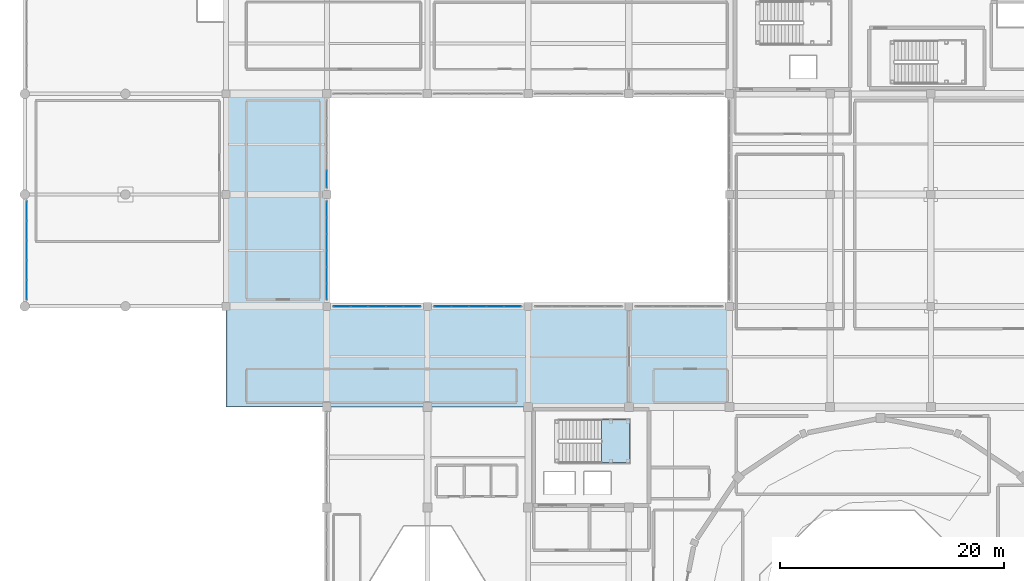
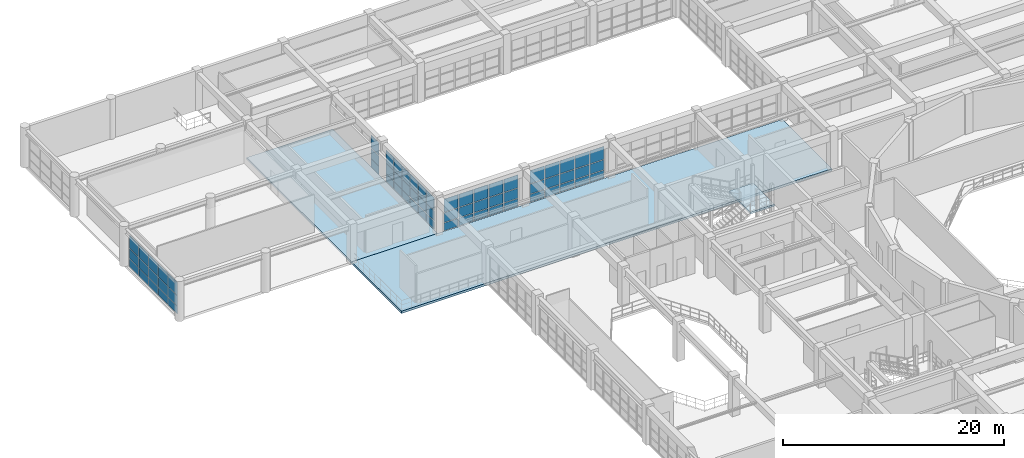
# One storey, part 95 of 133: 66 plates, 3 slabs, 6 elements without a shape of their own.
"""IFC4 building model written with IfcOpenShell, lengths in metres."""

from ifc_helpers import new_model, si_unit, direction, frame, origin, origin_2d, place, context, subcontext, project, spatial, polyline, rectangle, outline, extrude, material, layer, layer_set, type_object, element, aggregate, save


model = new_model("IFC4")

# Units and contexts
model_context = context("Model", 3, precision=1e-05, world=origin(), true_north=direction((0.0, 1.0)))
body_context = subcontext(model_context, "Body", "Model", "MODEL_VIEW")
ifc_project = project(units=[si_unit("LENGTHUNIT", "METRE"), si_unit("AREAUNIT", "SQUARE_METRE"), si_unit("VOLUMEUNIT", "CUBIC_METRE"), si_unit("PLANEANGLEUNIT", "RADIAN"), si_unit("MASSUNIT", "GRAM", prefix="KILO")], contexts=[model_context])

# Site, building, storey
site_placement = place(None, origin())
site = spatial("IfcSite", under=ifc_project, at=site_placement, CompositionType="ELEMENT")
building_placement = place(site_placement, origin())
building = spatial("IfcBuilding", under=site, at=building_placement, Name="Miravela Opera House", CompositionType="ELEMENT")
storey_placement = place(building_placement, frame((0.0, 0.0, 5.10009765625)))
storey = spatial("IfcBuildingStorey", under=building, at=storey_placement, Name="L01", CompositionType="ELEMENT", Elevation=5.10009765625)

# Curtain wall, plates
ifc_material_1 = material(Name="Anodised architectural bronze aluminium 6063-T6", Category="aluminium")
curtain_wall_type_1 = type_object("IfcCurtainWallType", Name="ARC-CW-05", PredefinedType="NOTDEFINED", material=ifc_material_1)
curtain_wall_1_placement = place(storey_placement, origin())
curtain_wall_1 = element("IfcCurtainWall", 1, at=curtain_wall_1_placement, inside=storey, type_object=curtain_wall_type_1, Name="Courtyard Arcade Curtain Wall CW-L01-077", PredefinedType="NOTDEFINED")
ifc_material_2 = material(Name="Acoustic laminated low-E insulating glass", Category="glass")
ifc_layer_1 = layer(ifc_material_2, 0.028076171875)
ifc_layer_set_1 = layer_set([ifc_layer_1])
plate_type = type_object("IfcPlateType", Name="ARC-CWP-28", PredefinedType="CURTAIN_PANEL", material=ifc_layer_set_1)
plate_1_placement = place(storey_placement, frame((28.37890625, 84.0, 0.06005859375), z_axis=(0.0, 0.0, 1.0), x_axis=(1.0, 0.0, 0.0)))
plate_1 = element("IfcPlate", 2, at=plate_1_placement, type_object=plate_type, Name="CW-05 panel 1.1", PredefinedType="CURTAIN_PANEL", context=body_context, shape_type="SweptSolid", body=[
    extrude(rectangle(XDim=1.47802734375, YDim=0.028076171875, at=origin_2d()), origin(), (0.0, 0.0, 1.0), 0.860107421875),
])
plate_2_placement = place(storey_placement, frame((28.37890625, 84.0, 0.97998046875), z_axis=(0.0, 0.0, 1.0), x_axis=(1.0, 0.0, 0.0)))
plate_2 = element("IfcPlate", 3, at=plate_2_placement, type_object=plate_type, Name="CW-05 panel 1.2", PredefinedType="CURTAIN_PANEL", context=body_context, shape_type="SweptSolid", body=[
    extrude(rectangle(XDim=1.47802734375, YDim=0.028076171875, at=origin_2d()), origin(), (0.0, 0.0, 1.0), 1.083740234375),
])
plate_3_placement = place(storey_placement, frame((28.37890625, 84.0, 2.123779296875), z_axis=(0.0, 0.0, 1.0), x_axis=(1.0, 0.0, 0.0)))
plate_3 = element("IfcPlate", 4, at=plate_3_placement, type_object=plate_type, Name="CW-05 panel 1.3", PredefinedType="CURTAIN_PANEL", context=body_context, shape_type="SweptSolid", body=[
    extrude(rectangle(XDim=1.47802734375, YDim=0.028076171875, at=origin_2d()), origin(), (0.0, 0.0, 1.0), 1.42626953125),
])
plate_4_placement = place(storey_placement, frame((29.931884765625, 84.0, 0.06005859375), z_axis=(0.0, 0.0, 1.0), x_axis=(1.0, 0.0, 0.0)))
plate_4 = element("IfcPlate", 5, at=plate_4_placement, type_object=plate_type, Name="CW-05 panel 2.1", PredefinedType="CURTAIN_PANEL", context=body_context, shape_type="SweptSolid", body=[
    extrude(rectangle(XDim=1.508056640625, YDim=0.028076171875, at=origin_2d()), origin(), (0.0, 0.0, 1.0), 0.860107421875),
])
plate_5_placement = place(storey_placement, frame((29.931884765625, 84.0, 0.97998046875), z_axis=(0.0, 0.0, 1.0), x_axis=(1.0, 0.0, 0.0)))
plate_5 = element("IfcPlate", 6, at=plate_5_placement, type_object=plate_type, Name="CW-05 panel 2.2", PredefinedType="CURTAIN_PANEL", context=body_context, shape_type="SweptSolid", body=[
    extrude(rectangle(XDim=1.508056640625, YDim=0.028076171875, at=origin_2d()), origin(), (0.0, 0.0, 1.0), 1.083740234375),
])
plate_6_placement = place(storey_placement, frame((29.931884765625, 84.0, 2.123779296875), z_axis=(0.0, 0.0, 1.0), x_axis=(1.0, 0.0, 0.0)))
plate_6 = element("IfcPlate", 7, at=plate_6_placement, type_object=plate_type, Name="CW-05 panel 2.3", PredefinedType="CURTAIN_PANEL", context=body_context, shape_type="SweptSolid", body=[
    extrude(rectangle(XDim=1.508056640625, YDim=0.028076171875, at=origin_2d()), origin(), (0.0, 0.0, 1.0), 1.42626953125),
])
plate_7_placement = place(storey_placement, frame((31.5, 84.0, 0.06005859375), z_axis=(0.0, 0.0, 1.0), x_axis=(1.0, 0.0, 0.0)))
plate_7 = element("IfcPlate", 8, at=plate_7_placement, type_object=plate_type, Name="CW-05 panel 3.1", PredefinedType="CURTAIN_PANEL", context=body_context, shape_type="SweptSolid", body=[
    extrude(rectangle(XDim=1.508056640625, YDim=0.028076171875, at=origin_2d()), origin(), (0.0, 0.0, 1.0), 0.860107421875),
])
plate_8_placement = place(storey_placement, frame((31.5, 84.0, 0.97998046875), z_axis=(0.0, 0.0, 1.0), x_axis=(1.0, 0.0, 0.0)))
plate_8 = element("IfcPlate", 9, at=plate_8_placement, type_object=plate_type, Name="CW-05 panel 3.2", PredefinedType="CURTAIN_PANEL", context=body_context, shape_type="SweptSolid", body=[
    extrude(rectangle(XDim=1.508056640625, YDim=0.028076171875, at=origin_2d()), origin(), (0.0, 0.0, 1.0), 1.083740234375),
])
plate_9_placement = place(storey_placement, frame((31.5, 84.0, 2.123779296875), z_axis=(0.0, 0.0, 1.0), x_axis=(1.0, 0.0, 0.0)))
plate_9 = element("IfcPlate", 10, at=plate_9_placement, type_object=plate_type, Name="CW-05 panel 3.3", PredefinedType="CURTAIN_PANEL", context=body_context, shape_type="SweptSolid", body=[
    extrude(rectangle(XDim=1.508056640625, YDim=0.028076171875, at=origin_2d()), origin(), (0.0, 0.0, 1.0), 1.42626953125),
])
plate_10_placement = place(storey_placement, frame((33.068115234375, 84.0, 0.06005859375), z_axis=(0.0, 0.0, 1.0), x_axis=(1.0, 0.0, 0.0)))
plate_10 = element("IfcPlate", 11, at=plate_10_placement, type_object=plate_type, Name="CW-05 panel 4.1", PredefinedType="CURTAIN_PANEL", context=body_context, shape_type="SweptSolid", body=[
    extrude(rectangle(XDim=1.508056640625, YDim=0.028076171875, at=origin_2d()), origin(), (0.0, 0.0, 1.0), 0.860107421875),
])
plate_11_placement = place(storey_placement, frame((33.068115234375, 84.0, 0.97998046875), z_axis=(0.0, 0.0, 1.0), x_axis=(1.0, 0.0, 0.0)))
plate_11 = element("IfcPlate", 12, at=plate_11_placement, type_object=plate_type, Name="CW-05 panel 4.2", PredefinedType="CURTAIN_PANEL", context=body_context, shape_type="SweptSolid", body=[
    extrude(rectangle(XDim=1.508056640625, YDim=0.028076171875, at=origin_2d()), origin(), (0.0, 0.0, 1.0), 1.083740234375),
])
plate_12_placement = place(storey_placement, frame((33.068115234375, 84.0, 2.123779296875), z_axis=(0.0, 0.0, 1.0), x_axis=(1.0, 0.0, 0.0)))
plate_12 = element("IfcPlate", 13, at=plate_12_placement, type_object=plate_type, Name="CW-05 panel 4.3", PredefinedType="CURTAIN_PANEL", context=body_context, shape_type="SweptSolid", body=[
    extrude(rectangle(XDim=1.508056640625, YDim=0.028076171875, at=origin_2d()), origin(), (0.0, 0.0, 1.0), 1.42626953125),
])
plate_13_placement = place(storey_placement, frame((34.62109375, 84.0, 0.06005859375), z_axis=(0.0, 0.0, 1.0), x_axis=(1.0, 0.0, 0.0)))
plate_13 = element("IfcPlate", 14, at=plate_13_placement, type_object=plate_type, Name="CW-05 panel 5.1", PredefinedType="CURTAIN_PANEL", context=body_context, shape_type="SweptSolid", body=[
    extrude(rectangle(XDim=1.47802734375, YDim=0.028076171875, at=origin_2d()), origin(), (0.0, 0.0, 1.0), 0.860107421875),
])
plate_14_placement = place(storey_placement, frame((34.62109375, 84.0, 0.97998046875), z_axis=(0.0, 0.0, 1.0), x_axis=(1.0, 0.0, 0.0)))
plate_14 = element("IfcPlate", 15, at=plate_14_placement, type_object=plate_type, Name="CW-05 panel 5.2", PredefinedType="CURTAIN_PANEL", context=body_context, shape_type="SweptSolid", body=[
    extrude(rectangle(XDim=1.47802734375, YDim=0.028076171875, at=origin_2d()), origin(), (0.0, 0.0, 1.0), 1.083740234375),
])
plate_15_placement = place(storey_placement, frame((34.62109375, 84.0, 2.123779296875), z_axis=(0.0, 0.0, 1.0), x_axis=(1.0, 0.0, 0.0)))
plate_15 = element("IfcPlate", 16, at=plate_15_placement, type_object=plate_type, Name="CW-05 panel 5.3", PredefinedType="CURTAIN_PANEL", context=body_context, shape_type="SweptSolid", body=[
    extrude(rectangle(XDim=1.47802734375, YDim=0.028076171875, at=origin_2d()), origin(), (0.0, 0.0, 1.0), 1.42626953125),
])
aggregate(curtain_wall_1, [plate_1, plate_2, plate_3, plate_4, plate_5, plate_6, plate_7, plate_8, plate_9, plate_10, plate_11, plate_12, plate_13, plate_14, plate_15])

curtain_wall_2_placement = place(storey_placement, origin())
curtain_wall_2 = element("IfcCurtainWall", 17, at=curtain_wall_2_placement, inside=storey, type_object=curtain_wall_type_1, Name="Courtyard Arcade Curtain Wall CW-L01-079", PredefinedType="NOTDEFINED")
plate_16_placement = place(storey_placement, frame((37.37890625, 84.0, 0.06005859375), z_axis=(0.0, 0.0, 1.0), x_axis=(1.0, 0.0, 0.0)))
plate_16 = element("IfcPlate", 18, at=plate_16_placement, type_object=plate_type, Name="CW-05 panel 1.1", PredefinedType="CURTAIN_PANEL", context=body_context, shape_type="SweptSolid", body=[
    extrude(rectangle(XDim=1.47802734375, YDim=0.028076171875, at=origin_2d()), origin(), (0.0, 0.0, 1.0), 0.860107421875),
])
plate_17_placement = place(storey_placement, frame((37.37890625, 84.0, 0.97998046875), z_axis=(0.0, 0.0, 1.0), x_axis=(1.0, 0.0, 0.0)))
plate_17 = element("IfcPlate", 19, at=plate_17_placement, type_object=plate_type, Name="CW-05 panel 1.2", PredefinedType="CURTAIN_PANEL", context=body_context, shape_type="SweptSolid", body=[
    extrude(rectangle(XDim=1.47802734375, YDim=0.028076171875, at=origin_2d()), origin(), (0.0, 0.0, 1.0), 1.083740234375),
])
plate_18_placement = place(storey_placement, frame((37.37890625, 84.0, 2.123779296875), z_axis=(0.0, 0.0, 1.0), x_axis=(1.0, 0.0, 0.0)))
plate_18 = element("IfcPlate", 20, at=plate_18_placement, type_object=plate_type, Name="CW-05 panel 1.3", PredefinedType="CURTAIN_PANEL", context=body_context, shape_type="SweptSolid", body=[
    extrude(rectangle(XDim=1.47802734375, YDim=0.028076171875, at=origin_2d()), origin(), (0.0, 0.0, 1.0), 1.42626953125),
])
plate_19_placement = place(storey_placement, frame((38.931884765625, 84.0, 0.06005859375), z_axis=(0.0, 0.0, 1.0), x_axis=(1.0, 0.0, 0.0)))
plate_19 = element("IfcPlate", 21, at=plate_19_placement, type_object=plate_type, Name="CW-05 panel 2.1", PredefinedType="CURTAIN_PANEL", context=body_context, shape_type="SweptSolid", body=[
    extrude(rectangle(XDim=1.508056640625, YDim=0.028076171875, at=origin_2d()), origin(), (0.0, 0.0, 1.0), 0.860107421875),
])
plate_20_placement = place(storey_placement, frame((38.931884765625, 84.0, 0.97998046875), z_axis=(0.0, 0.0, 1.0), x_axis=(1.0, 0.0, 0.0)))
plate_20 = element("IfcPlate", 22, at=plate_20_placement, type_object=plate_type, Name="CW-05 panel 2.2", PredefinedType="CURTAIN_PANEL", context=body_context, shape_type="SweptSolid", body=[
    extrude(rectangle(XDim=1.508056640625, YDim=0.028076171875, at=origin_2d()), origin(), (0.0, 0.0, 1.0), 1.083740234375),
])
plate_21_placement = place(storey_placement, frame((38.931884765625, 84.0, 2.123779296875), z_axis=(0.0, 0.0, 1.0), x_axis=(1.0, 0.0, 0.0)))
plate_21 = element("IfcPlate", 23, at=plate_21_placement, type_object=plate_type, Name="CW-05 panel 2.3", PredefinedType="CURTAIN_PANEL", context=body_context, shape_type="SweptSolid", body=[
    extrude(rectangle(XDim=1.508056640625, YDim=0.028076171875, at=origin_2d()), origin(), (0.0, 0.0, 1.0), 1.42626953125),
])
plate_22_placement = place(storey_placement, frame((40.5, 84.0, 0.06005859375), z_axis=(0.0, 0.0, 1.0), x_axis=(1.0, 0.0, 0.0)))
plate_22 = element("IfcPlate", 24, at=plate_22_placement, type_object=plate_type, Name="CW-05 panel 3.1", PredefinedType="CURTAIN_PANEL", context=body_context, shape_type="SweptSolid", body=[
    extrude(rectangle(XDim=1.508056640625, YDim=0.028076171875, at=origin_2d()), origin(), (0.0, 0.0, 1.0), 0.860107421875),
])
plate_23_placement = place(storey_placement, frame((40.5, 84.0, 0.97998046875), z_axis=(0.0, 0.0, 1.0), x_axis=(1.0, 0.0, 0.0)))
plate_23 = element("IfcPlate", 25, at=plate_23_placement, type_object=plate_type, Name="CW-05 panel 3.2", PredefinedType="CURTAIN_PANEL", context=body_context, shape_type="SweptSolid", body=[
    extrude(rectangle(XDim=1.508056640625, YDim=0.028076171875, at=origin_2d()), origin(), (0.0, 0.0, 1.0), 1.083740234375),
])
plate_24_placement = place(storey_placement, frame((40.5, 84.0, 2.123779296875), z_axis=(0.0, 0.0, 1.0), x_axis=(1.0, 0.0, 0.0)))
plate_24 = element("IfcPlate", 26, at=plate_24_placement, type_object=plate_type, Name="CW-05 panel 3.3", PredefinedType="CURTAIN_PANEL", context=body_context, shape_type="SweptSolid", body=[
    extrude(rectangle(XDim=1.508056640625, YDim=0.028076171875, at=origin_2d()), origin(), (0.0, 0.0, 1.0), 1.42626953125),
])
plate_25_placement = place(storey_placement, frame((42.068115234375, 84.0, 0.06005859375), z_axis=(0.0, 0.0, 1.0), x_axis=(1.0, 0.0, 0.0)))
plate_25 = element("IfcPlate", 27, at=plate_25_placement, type_object=plate_type, Name="CW-05 panel 4.1", PredefinedType="CURTAIN_PANEL", context=body_context, shape_type="SweptSolid", body=[
    extrude(rectangle(XDim=1.508056640625, YDim=0.028076171875, at=origin_2d()), origin(), (0.0, 0.0, 1.0), 0.860107421875),
])
plate_26_placement = place(storey_placement, frame((42.068115234375, 84.0, 0.97998046875), z_axis=(0.0, 0.0, 1.0), x_axis=(1.0, 0.0, 0.0)))
plate_26 = element("IfcPlate", 28, at=plate_26_placement, type_object=plate_type, Name="CW-05 panel 4.2", PredefinedType="CURTAIN_PANEL", context=body_context, shape_type="SweptSolid", body=[
    extrude(rectangle(XDim=1.508056640625, YDim=0.028076171875, at=origin_2d()), origin(), (0.0, 0.0, 1.0), 1.083740234375),
])
plate_27_placement = place(storey_placement, frame((42.068115234375, 84.0, 2.123779296875), z_axis=(0.0, 0.0, 1.0), x_axis=(1.0, 0.0, 0.0)))
plate_27 = element("IfcPlate", 29, at=plate_27_placement, type_object=plate_type, Name="CW-05 panel 4.3", PredefinedType="CURTAIN_PANEL", context=body_context, shape_type="SweptSolid", body=[
    extrude(rectangle(XDim=1.508056640625, YDim=0.028076171875, at=origin_2d()), origin(), (0.0, 0.0, 1.0), 1.42626953125),
])
plate_28_placement = place(storey_placement, frame((43.62109375, 84.0, 0.06005859375), z_axis=(0.0, 0.0, 1.0), x_axis=(1.0, 0.0, 0.0)))
plate_28 = element("IfcPlate", 30, at=plate_28_placement, type_object=plate_type, Name="CW-05 panel 5.1", PredefinedType="CURTAIN_PANEL", context=body_context, shape_type="SweptSolid", body=[
    extrude(rectangle(XDim=1.47802734375, YDim=0.028076171875, at=origin_2d()), origin(), (0.0, 0.0, 1.0), 0.860107421875),
])
plate_29_placement = place(storey_placement, frame((43.62109375, 84.0, 0.97998046875), z_axis=(0.0, 0.0, 1.0), x_axis=(1.0, 0.0, 0.0)))
plate_29 = element("IfcPlate", 31, at=plate_29_placement, type_object=plate_type, Name="CW-05 panel 5.2", PredefinedType="CURTAIN_PANEL", context=body_context, shape_type="SweptSolid", body=[
    extrude(rectangle(XDim=1.47802734375, YDim=0.028076171875, at=origin_2d()), origin(), (0.0, 0.0, 1.0), 1.083740234375),
])
plate_30_placement = place(storey_placement, frame((43.62109375, 84.0, 2.123779296875), z_axis=(0.0, 0.0, 1.0), x_axis=(1.0, 0.0, 0.0)))
plate_30 = element("IfcPlate", 32, at=plate_30_placement, type_object=plate_type, Name="CW-05 panel 5.3", PredefinedType="CURTAIN_PANEL", context=body_context, shape_type="SweptSolid", body=[
    extrude(rectangle(XDim=1.47802734375, YDim=0.028076171875, at=origin_2d()), origin(), (0.0, 0.0, 1.0), 1.42626953125),
])
aggregate(curtain_wall_2, [plate_16, plate_17, plate_18, plate_19, plate_20, plate_21, plate_22, plate_23, plate_24, plate_25, plate_26, plate_27, plate_28, plate_29, plate_30])

curtain_wall_3_placement = place(storey_placement, origin())
curtain_wall_3 = element("IfcCurtainWall", 33, at=curtain_wall_3_placement, inside=storey, type_object=curtain_wall_type_1, Name="Courtyard Arcade Curtain Wall CW-L01-085", PredefinedType="NOTDEFINED")
plate_31_placement = place(storey_placement, frame((27.0, 85.331787109375, 0.06005859375), z_axis=(0.0, 0.0, 1.0), x_axis=(0.0, 1.0, 0.0)))
plate_31 = element("IfcPlate", 34, at=plate_31_placement, type_object=plate_type, Name="CW-05 panel 1.1", PredefinedType="CURTAIN_PANEL", context=body_context, shape_type="SweptSolid", body=[
    extrude(rectangle(XDim=1.38330078125, YDim=0.028076171875, at=origin_2d()), origin(), (0.0, 0.0, 1.0), 0.860107421875),
])
plate_32_placement = place(storey_placement, frame((27.0, 85.331787109375, 0.97998046875), z_axis=(0.0, 0.0, 1.0), x_axis=(0.0, 1.0, 0.0)))
plate_32 = element("IfcPlate", 35, at=plate_32_placement, type_object=plate_type, Name="CW-05 panel 1.2", PredefinedType="CURTAIN_PANEL", context=body_context, shape_type="SweptSolid", body=[
    extrude(rectangle(XDim=1.38330078125, YDim=0.028076171875, at=origin_2d()), origin(), (0.0, 0.0, 1.0), 1.083740234375),
])
plate_33_placement = place(storey_placement, frame((27.0, 85.331787109375, 2.123779296875), z_axis=(0.0, 0.0, 1.0), x_axis=(0.0, 1.0, 0.0)))
plate_33 = element("IfcPlate", 36, at=plate_33_placement, type_object=plate_type, Name="CW-05 panel 1.3", PredefinedType="CURTAIN_PANEL", context=body_context, shape_type="SweptSolid", body=[
    extrude(rectangle(XDim=1.38330078125, YDim=0.028076171875, at=origin_2d()), origin(), (0.0, 0.0, 1.0), 1.42626953125),
])
plate_34_placement = place(storey_placement, frame((27.0, 86.7900390625, 0.06005859375), z_axis=(0.0, 0.0, 1.0), x_axis=(0.0, 1.0, 0.0)))
plate_34 = element("IfcPlate", 37, at=plate_34_placement, type_object=plate_type, Name="CW-05 panel 2.1", PredefinedType="CURTAIN_PANEL", context=body_context, shape_type="SweptSolid", body=[
    extrude(rectangle(XDim=1.413330078125, YDim=0.028076171875, at=origin_2d()), origin(), (0.0, 0.0, 1.0), 0.860107421875),
])
plate_35_placement = place(storey_placement, frame((27.0, 86.7900390625, 0.97998046875), z_axis=(0.0, 0.0, 1.0), x_axis=(0.0, 1.0, 0.0)))
plate_35 = element("IfcPlate", 38, at=plate_35_placement, type_object=plate_type, Name="CW-05 panel 2.2", PredefinedType="CURTAIN_PANEL", context=body_context, shape_type="SweptSolid", body=[
    extrude(rectangle(XDim=1.413330078125, YDim=0.028076171875, at=origin_2d()), origin(), (0.0, 0.0, 1.0), 1.083740234375),
])
plate_36_placement = place(storey_placement, frame((27.0, 86.7900390625, 2.123779296875), z_axis=(0.0, 0.0, 1.0), x_axis=(0.0, 1.0, 0.0)))
plate_36 = element("IfcPlate", 39, at=plate_36_placement, type_object=plate_type, Name="CW-05 panel 2.3", PredefinedType="CURTAIN_PANEL", context=body_context, shape_type="SweptSolid", body=[
    extrude(rectangle(XDim=1.413330078125, YDim=0.028076171875, at=origin_2d()), origin(), (0.0, 0.0, 1.0), 1.42626953125),
])
plate_37_placement = place(storey_placement, frame((27.0, 88.263427734375, 0.06005859375), z_axis=(0.0, 0.0, 1.0), x_axis=(0.0, 1.0, 0.0)))
plate_37 = element("IfcPlate", 40, at=plate_37_placement, type_object=plate_type, Name="CW-05 panel 3.1", PredefinedType="CURTAIN_PANEL", context=body_context, shape_type="SweptSolid", body=[
    extrude(rectangle(XDim=1.413330078125, YDim=0.028076171875, at=origin_2d()), origin(), (0.0, 0.0, 1.0), 0.860107421875),
])
plate_38_placement = place(storey_placement, frame((27.0, 88.263427734375, 0.97998046875), z_axis=(0.0, 0.0, 1.0), x_axis=(0.0, 1.0, 0.0)))
plate_38 = element("IfcPlate", 41, at=plate_38_placement, type_object=plate_type, Name="CW-05 panel 3.2", PredefinedType="CURTAIN_PANEL", context=body_context, shape_type="SweptSolid", body=[
    extrude(rectangle(XDim=1.413330078125, YDim=0.028076171875, at=origin_2d()), origin(), (0.0, 0.0, 1.0), 1.083740234375),
])
plate_39_placement = place(storey_placement, frame((27.0, 88.263427734375, 2.123779296875), z_axis=(0.0, 0.0, 1.0), x_axis=(0.0, 1.0, 0.0)))
plate_39 = element("IfcPlate", 42, at=plate_39_placement, type_object=plate_type, Name="CW-05 panel 3.3", PredefinedType="CURTAIN_PANEL", context=body_context, shape_type="SweptSolid", body=[
    extrude(rectangle(XDim=1.413330078125, YDim=0.028076171875, at=origin_2d()), origin(), (0.0, 0.0, 1.0), 1.42626953125),
])
plate_40_placement = place(storey_placement, frame((27.0, 89.736572265625, 0.06005859375), z_axis=(0.0, 0.0, 1.0), x_axis=(0.0, 1.0, 0.0)))
plate_40 = element("IfcPlate", 43, at=plate_40_placement, type_object=plate_type, Name="CW-05 panel 4.1", PredefinedType="CURTAIN_PANEL", context=body_context, shape_type="SweptSolid", body=[
    extrude(rectangle(XDim=1.413330078125, YDim=0.028076171875, at=origin_2d()), origin(), (0.0, 0.0, 1.0), 0.860107421875),
])
plate_41_placement = place(storey_placement, frame((27.0, 89.736572265625, 0.97998046875), z_axis=(0.0, 0.0, 1.0), x_axis=(0.0, 1.0, 0.0)))
plate_41 = element("IfcPlate", 44, at=plate_41_placement, type_object=plate_type, Name="CW-05 panel 4.2", PredefinedType="CURTAIN_PANEL", context=body_context, shape_type="SweptSolid", body=[
    extrude(rectangle(XDim=1.413330078125, YDim=0.028076171875, at=origin_2d()), origin(), (0.0, 0.0, 1.0), 1.083740234375),
])
plate_42_placement = place(storey_placement, frame((27.0, 89.736572265625, 2.123779296875), z_axis=(0.0, 0.0, 1.0), x_axis=(0.0, 1.0, 0.0)))
plate_42 = element("IfcPlate", 45, at=plate_42_placement, type_object=plate_type, Name="CW-05 panel 4.3", PredefinedType="CURTAIN_PANEL", context=body_context, shape_type="SweptSolid", body=[
    extrude(rectangle(XDim=1.413330078125, YDim=0.028076171875, at=origin_2d()), origin(), (0.0, 0.0, 1.0), 1.42626953125),
])
plate_43_placement = place(storey_placement, frame((27.0, 91.2099609375, 0.06005859375), z_axis=(0.0, 0.0, 1.0), x_axis=(0.0, 1.0, 0.0)))
plate_43 = element("IfcPlate", 46, at=plate_43_placement, type_object=plate_type, Name="CW-05 panel 5.1", PredefinedType="CURTAIN_PANEL", context=body_context, shape_type="SweptSolid", body=[
    extrude(rectangle(XDim=1.413330078125, YDim=0.028076171875, at=origin_2d()), origin(), (0.0, 0.0, 1.0), 0.860107421875),
])
plate_44_placement = place(storey_placement, frame((27.0, 91.2099609375, 0.97998046875), z_axis=(0.0, 0.0, 1.0), x_axis=(0.0, 1.0, 0.0)))
plate_44 = element("IfcPlate", 47, at=plate_44_placement, type_object=plate_type, Name="CW-05 panel 5.2", PredefinedType="CURTAIN_PANEL", context=body_context, shape_type="SweptSolid", body=[
    extrude(rectangle(XDim=1.413330078125, YDim=0.028076171875, at=origin_2d()), origin(), (0.0, 0.0, 1.0), 1.083740234375),
])
plate_45_placement = place(storey_placement, frame((27.0, 91.2099609375, 2.123779296875), z_axis=(0.0, 0.0, 1.0), x_axis=(0.0, 1.0, 0.0)))
plate_45 = element("IfcPlate", 48, at=plate_45_placement, type_object=plate_type, Name="CW-05 panel 5.3", PredefinedType="CURTAIN_PANEL", context=body_context, shape_type="SweptSolid", body=[
    extrude(rectangle(XDim=1.413330078125, YDim=0.028076171875, at=origin_2d()), origin(), (0.0, 0.0, 1.0), 1.42626953125),
])
plate_46_placement = place(storey_placement, frame((27.0, 92.668212890625, 0.06005859375), z_axis=(0.0, 0.0, 1.0), x_axis=(0.0, 1.0, 0.0)))
plate_46 = element("IfcPlate", 49, at=plate_46_placement, type_object=plate_type, Name="CW-05 panel 6.1", PredefinedType="CURTAIN_PANEL", context=body_context, shape_type="SweptSolid", body=[
    extrude(rectangle(XDim=1.38330078125, YDim=0.028076171875, at=origin_2d()), origin(), (0.0, 0.0, 1.0), 0.860107421875),
])
plate_47_placement = place(storey_placement, frame((27.0, 92.668212890625, 0.97998046875), z_axis=(0.0, 0.0, 1.0), x_axis=(0.0, 1.0, 0.0)))
plate_47 = element("IfcPlate", 50, at=plate_47_placement, type_object=plate_type, Name="CW-05 panel 6.2", PredefinedType="CURTAIN_PANEL", context=body_context, shape_type="SweptSolid", body=[
    extrude(rectangle(XDim=1.38330078125, YDim=0.028076171875, at=origin_2d()), origin(), (0.0, 0.0, 1.0), 1.083740234375),
])
plate_48_placement = place(storey_placement, frame((27.0, 92.668212890625, 2.123779296875), z_axis=(0.0, 0.0, 1.0), x_axis=(0.0, 1.0, 0.0)))
plate_48 = element("IfcPlate", 51, at=plate_48_placement, type_object=plate_type, Name="CW-05 panel 6.3", PredefinedType="CURTAIN_PANEL", context=body_context, shape_type="SweptSolid", body=[
    extrude(rectangle(XDim=1.38330078125, YDim=0.028076171875, at=origin_2d()), origin(), (0.0, 0.0, 1.0), 1.42626953125),
])
aggregate(curtain_wall_3, [plate_31, plate_32, plate_33, plate_34, plate_35, plate_36, plate_37, plate_38, plate_39, plate_40, plate_41, plate_42, plate_43, plate_44, plate_45, plate_46, plate_47, plate_48])

curtain_wall_4_placement = place(storey_placement, origin())
curtain_wall_4 = element("IfcCurtainWall", 52, at=curtain_wall_4_placement, inside=storey, type_object=curtain_wall_type_1, Name="Courtyard Arcade Curtain Wall CW-L01-086", PredefinedType="NOTDEFINED")
plate_49_placement = place(storey_placement, frame((27.0, 95.37890625, 0.06005859375), z_axis=(0.0, 0.0, 1.0), x_axis=(0.0, 1.0, 0.0)))
plate_49 = element("IfcPlate", 53, at=plate_49_placement, type_object=plate_type, Name="CW-05 panel 1.1", PredefinedType="CURTAIN_PANEL", context=body_context, shape_type="SweptSolid", body=[
    extrude(rectangle(XDim=1.47802734375, YDim=0.028076171875, at=origin_2d()), origin(), (0.0, 0.0, 1.0), 0.860107421875),
])
plate_50_placement = place(storey_placement, frame((27.0, 95.37890625, 0.97998046875), z_axis=(0.0, 0.0, 1.0), x_axis=(0.0, 1.0, 0.0)))
plate_50 = element("IfcPlate", 54, at=plate_50_placement, type_object=plate_type, Name="CW-05 panel 1.2", PredefinedType="CURTAIN_PANEL", context=body_context, shape_type="SweptSolid", body=[
    extrude(rectangle(XDim=1.47802734375, YDim=0.028076171875, at=origin_2d()), origin(), (0.0, 0.0, 1.0), 1.083740234375),
])
plate_51_placement = place(storey_placement, frame((27.0, 95.37890625, 2.123779296875), z_axis=(0.0, 0.0, 1.0), x_axis=(0.0, 1.0, 0.0)))
plate_51 = element("IfcPlate", 55, at=plate_51_placement, type_object=plate_type, Name="CW-05 panel 1.3", PredefinedType="CURTAIN_PANEL", context=body_context, shape_type="SweptSolid", body=[
    extrude(rectangle(XDim=1.47802734375, YDim=0.028076171875, at=origin_2d()), origin(), (0.0, 0.0, 1.0), 1.42626953125),
])
aggregate(curtain_wall_4, [plate_49, plate_50, plate_51])

curtain_wall_type_2 = type_object("IfcCurtainWallType", Name="ARC-CW-07", PredefinedType="NOTDEFINED", material=ifc_material_1)
curtain_wall_5_placement = place(storey_placement, origin())
curtain_wall_5 = element("IfcCurtainWall", 56, at=curtain_wall_5_placement, inside=storey, type_object=curtain_wall_type_2, Name="Courtyard Arcade Curtain Wall CW-L01-199", PredefinedType="NOTDEFINED")
plate_52_placement = place(storey_placement, frame((0.179931640625, 85.47900390625, 0.06005859375), z_axis=(0.0, 0.0, 1.0), x_axis=(0.0, 1.0, 0.0)))
plate_52 = element("IfcPlate", 57, at=plate_52_placement, type_object=plate_type, Name="CW-07 panel 1.1", PredefinedType="CURTAIN_PANEL", context=body_context, shape_type="SweptSolid", body=[
    extrude(rectangle(XDim=1.677978515625, YDim=0.028076171875, at=origin_2d()), origin(), (0.0, 0.0, 1.0), 0.860107421875),
])
plate_53_placement = place(storey_placement, frame((0.179931640625, 85.47900390625, 0.97998046875), z_axis=(0.0, 0.0, 1.0), x_axis=(0.0, 1.0, 0.0)))
plate_53 = element("IfcPlate", 58, at=plate_53_placement, type_object=plate_type, Name="CW-07 panel 1.2", PredefinedType="CURTAIN_PANEL", context=body_context, shape_type="SweptSolid", body=[
    extrude(rectangle(XDim=1.677978515625, YDim=0.028076171875, at=origin_2d()), origin(), (0.0, 0.0, 1.0), 1.083740234375),
])
plate_54_placement = place(storey_placement, frame((0.179931640625, 85.47900390625, 2.123779296875), z_axis=(0.0, 0.0, 1.0), x_axis=(0.0, 1.0, 0.0)))
plate_54 = element("IfcPlate", 59, at=plate_54_placement, type_object=plate_type, Name="CW-07 panel 1.3", PredefinedType="CURTAIN_PANEL", context=body_context, shape_type="SweptSolid", body=[
    extrude(rectangle(XDim=1.677978515625, YDim=0.028076171875, at=origin_2d()), origin(), (0.0, 0.0, 1.0), 1.42626953125),
])
plate_55_placement = place(storey_placement, frame((0.179931640625, 87.23193359375, 0.06005859375), z_axis=(0.0, 0.0, 1.0), x_axis=(0.0, 1.0, 0.0)))
plate_55 = element("IfcPlate", 60, at=plate_55_placement, type_object=plate_type, Name="CW-07 panel 2.1", PredefinedType="CURTAIN_PANEL", context=body_context, shape_type="SweptSolid", body=[
    extrude(rectangle(XDim=1.7080078125, YDim=0.028076171875, at=origin_2d()), origin(), (0.0, 0.0, 1.0), 0.860107421875),
])
plate_56_placement = place(storey_placement, frame((0.179931640625, 87.23193359375, 0.97998046875), z_axis=(0.0, 0.0, 1.0), x_axis=(0.0, 1.0, 0.0)))
plate_56 = element("IfcPlate", 61, at=plate_56_placement, type_object=plate_type, Name="CW-07 panel 2.2", PredefinedType="CURTAIN_PANEL", context=body_context, shape_type="SweptSolid", body=[
    extrude(rectangle(XDim=1.7080078125, YDim=0.028076171875, at=origin_2d()), origin(), (0.0, 0.0, 1.0), 1.083740234375),
])
plate_57_placement = place(storey_placement, frame((0.179931640625, 87.23193359375, 2.123779296875), z_axis=(0.0, 0.0, 1.0), x_axis=(0.0, 1.0, 0.0)))
plate_57 = element("IfcPlate", 62, at=plate_57_placement, type_object=plate_type, Name="CW-07 panel 2.3", PredefinedType="CURTAIN_PANEL", context=body_context, shape_type="SweptSolid", body=[
    extrude(rectangle(XDim=1.7080078125, YDim=0.028076171875, at=origin_2d()), origin(), (0.0, 0.0, 1.0), 1.42626953125),
])
plate_58_placement = place(storey_placement, frame((0.179931640625, 89.0, 0.06005859375), z_axis=(0.0, 0.0, 1.0), x_axis=(0.0, 1.0, 0.0)))
plate_58 = element("IfcPlate", 63, at=plate_58_placement, type_object=plate_type, Name="CW-07 panel 3.1", PredefinedType="CURTAIN_PANEL", context=body_context, shape_type="SweptSolid", body=[
    extrude(rectangle(XDim=1.7080078125, YDim=0.028076171875, at=origin_2d()), origin(), (0.0, 0.0, 1.0), 0.860107421875),
])
plate_59_placement = place(storey_placement, frame((0.179931640625, 89.0, 0.97998046875), z_axis=(0.0, 0.0, 1.0), x_axis=(0.0, 1.0, 0.0)))
plate_59 = element("IfcPlate", 64, at=plate_59_placement, type_object=plate_type, Name="CW-07 panel 3.2", PredefinedType="CURTAIN_PANEL", context=body_context, shape_type="SweptSolid", body=[
    extrude(rectangle(XDim=1.7080078125, YDim=0.028076171875, at=origin_2d()), origin(), (0.0, 0.0, 1.0), 1.083740234375),
])
plate_60_placement = place(storey_placement, frame((0.179931640625, 89.0, 2.123779296875), z_axis=(0.0, 0.0, 1.0), x_axis=(0.0, 1.0, 0.0)))
plate_60 = element("IfcPlate", 65, at=plate_60_placement, type_object=plate_type, Name="CW-07 panel 3.3", PredefinedType="CURTAIN_PANEL", context=body_context, shape_type="SweptSolid", body=[
    extrude(rectangle(XDim=1.7080078125, YDim=0.028076171875, at=origin_2d()), origin(), (0.0, 0.0, 1.0), 1.42626953125),
])
plate_61_placement = place(storey_placement, frame((0.179931640625, 90.76806640625, 0.06005859375), z_axis=(0.0, 0.0, 1.0), x_axis=(0.0, 1.0, 0.0)))
plate_61 = element("IfcPlate", 66, at=plate_61_placement, type_object=plate_type, Name="CW-07 panel 4.1", PredefinedType="CURTAIN_PANEL", context=body_context, shape_type="SweptSolid", body=[
    extrude(rectangle(XDim=1.7080078125, YDim=0.028076171875, at=origin_2d()), origin(), (0.0, 0.0, 1.0), 0.860107421875),
])
plate_62_placement = place(storey_placement, frame((0.179931640625, 90.76806640625, 0.97998046875), z_axis=(0.0, 0.0, 1.0), x_axis=(0.0, 1.0, 0.0)))
plate_62 = element("IfcPlate", 67, at=plate_62_placement, type_object=plate_type, Name="CW-07 panel 4.2", PredefinedType="CURTAIN_PANEL", context=body_context, shape_type="SweptSolid", body=[
    extrude(rectangle(XDim=1.7080078125, YDim=0.028076171875, at=origin_2d()), origin(), (0.0, 0.0, 1.0), 1.083740234375),
])
plate_63_placement = place(storey_placement, frame((0.179931640625, 90.76806640625, 2.123779296875), z_axis=(0.0, 0.0, 1.0), x_axis=(0.0, 1.0, 0.0)))
plate_63 = element("IfcPlate", 68, at=plate_63_placement, type_object=plate_type, Name="CW-07 panel 4.3", PredefinedType="CURTAIN_PANEL", context=body_context, shape_type="SweptSolid", body=[
    extrude(rectangle(XDim=1.7080078125, YDim=0.028076171875, at=origin_2d()), origin(), (0.0, 0.0, 1.0), 1.42626953125),
])
plate_64_placement = place(storey_placement, frame((0.179931640625, 92.52099609375, 0.06005859375), z_axis=(0.0, 0.0, 1.0), x_axis=(0.0, 1.0, 0.0)))
plate_64 = element("IfcPlate", 69, at=plate_64_placement, type_object=plate_type, Name="CW-07 panel 5.1", PredefinedType="CURTAIN_PANEL", context=body_context, shape_type="SweptSolid", body=[
    extrude(rectangle(XDim=1.677978515625, YDim=0.028076171875, at=origin_2d()), origin(), (0.0, 0.0, 1.0), 0.860107421875),
])
plate_65_placement = place(storey_placement, frame((0.179931640625, 92.52099609375, 0.97998046875), z_axis=(0.0, 0.0, 1.0), x_axis=(0.0, 1.0, 0.0)))
plate_65 = element("IfcPlate", 70, at=plate_65_placement, type_object=plate_type, Name="CW-07 panel 5.2", PredefinedType="CURTAIN_PANEL", context=body_context, shape_type="SweptSolid", body=[
    extrude(rectangle(XDim=1.677978515625, YDim=0.028076171875, at=origin_2d()), origin(), (0.0, 0.0, 1.0), 1.083740234375),
])
plate_66_placement = place(storey_placement, frame((0.179931640625, 92.52099609375, 2.123779296875), z_axis=(0.0, 0.0, 1.0), x_axis=(0.0, 1.0, 0.0)))
plate_66 = element("IfcPlate", 71, at=plate_66_placement, type_object=plate_type, Name="CW-07 panel 5.3", PredefinedType="CURTAIN_PANEL", context=body_context, shape_type="SweptSolid", body=[
    extrude(rectangle(XDim=1.677978515625, YDim=0.028076171875, at=origin_2d()), origin(), (0.0, 0.0, 1.0), 1.42626953125),
])
aggregate(curtain_wall_5, [plate_52, plate_53, plate_54, plate_55, plate_56, plate_57, plate_58, plate_59, plate_60, plate_61, plate_62, plate_63, plate_64, plate_65, plate_66])

# Stair, slab
ifc_material_3 = material(Name="Concrete C35/45", Category="concrete")
stair_type = type_object("IfcStairType", Name="ARC-STAIR-CORE-1680", PredefinedType="HALF_TURN_STAIR", material=ifc_material_3)
stair_placement = place(storey_placement, origin())
stair = element("IfcStair", 72, at=stair_placement, inside=storey, type_object=stair_type, Name="L01 Core K1 North Foyer and Firefighting Core Exit Stair ST-01", PredefinedType="HALF_TURN_STAIR")
ifc_layer_2 = layer(ifc_material_3, 0.199951171875)
ifc_layer_set_2 = layer_set([ifc_layer_2])
slab_type_1 = type_object("IfcSlabType", Name="ARC-LANDING-200", PredefinedType="LANDING", material=ifc_layer_set_2)
slab_1_placement = place(storey_placement, frame((0.0, 0.0, 2.010009765625)))
slab_1 = element("IfcSlab", 73, at=slab_1_placement, type_object=slab_type_1, Name="ST-01 landing 1", PredefinedType="LANDING", context=body_context, shape_type="SweptSolid", body=[
    extrude(outline(polyline([(51.580078125, 70.0), (54.10009765625, 70.0), (54.10009765625, 73.8798828125), (51.580078125, 73.8798828125), (51.580078125, 70.0)])), origin(), (0.0, 0.0, 1.0), 0.199951171875),
])
aggregate(stair, [slab_1])

# Slabs
ifc_layer_3 = layer(ifc_material_3, 0.25)
ifc_layer_set_3 = layer_set([ifc_layer_3])
slab_type_2 = type_object("IfcSlabType", Name="STR-SLAB-FLR-250", PredefinedType="FLOOR", material=ifc_layer_set_3)
slab_2_placement = place(storey_placement, frame((0.0, 0.0, -0.25)))
element("IfcSlab", 74, at=slab_2_placement, inside=storey, type_object=slab_type_2, Name="Level L01 Floor Slab SLAB-L01-V3W", PredefinedType="FLOOR", context=body_context, shape_type="SweptSolid", body=[
    extrude(outline(polyline([(18.0, 75.0), (63.0, 75.0), (63.0, 84.0), (18.0, 84.0), (18.0, 75.0)])), origin(), (0.0, 0.0, 1.0), 0.25),
])
ifc_layer_4 = layer(ifc_material_3, 0.22998046875)
ifc_layer_set_4 = layer_set([ifc_layer_4])
slab_type_3 = type_object("IfcSlabType", Name="STR-SLAB-LINK-230", PredefinedType="FLOOR", material=ifc_layer_set_4)
slab_3_placement = place(storey_placement, frame((0.0, 0.0, -0.22998046875)))
element("IfcSlab", 75, at=slab_3_placement, inside=storey, type_object=slab_type_3, Name="Articulated Seismic Joint Gallery Link Slab SL-LK1 (SLAB-L01-V3WC)", PredefinedType="FLOOR", context=body_context, shape_type="SweptSolid", body=[
    extrude(outline(polyline([(18.0, 84.0), (27.0, 84.0), (27.0, 103.0), (18.0, 103.0), (18.0, 84.0)])), origin(), (0.0, 0.0, 1.0), 0.22998046875),
])

save(model, "model.ifc")
